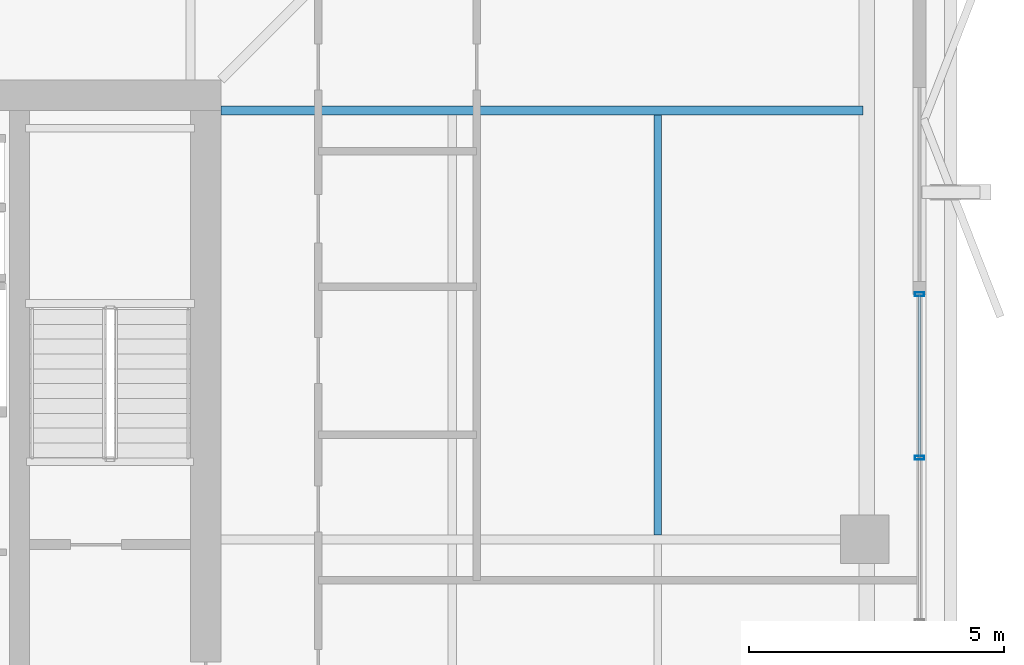
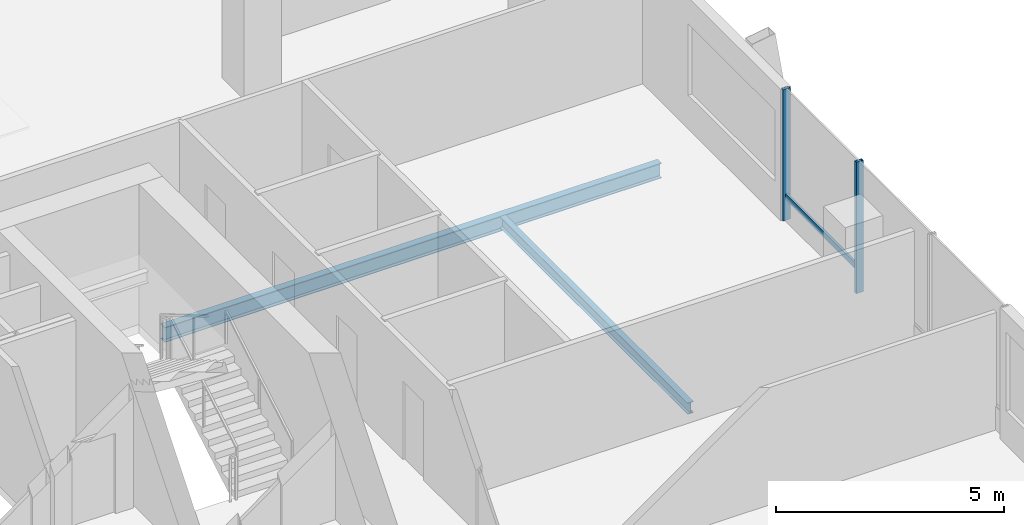
# One storey, part 12 of 26: 3 members, 2 beams, 1 element without a shape of its own.
"""IFC4 building model written with IfcOpenShell, lengths in metres."""

from ifc_helpers import new_model, si_unit, direction, frame, origin, origin_2d, place, context, subcontext, project, spatial, hollow_rectangle, i_section, extrude, material, layer, layer_set, material_profile, profile_set, type_object, element, aggregate, save


model = new_model("IFC4")

# Units and contexts
model_context = context("Model", 3, precision=1e-05, world=origin(), true_north=direction((0.0, 1.0)))
body_context = subcontext(model_context, "Body", "Model", "MODEL_VIEW")
ifc_project = project(units=[si_unit("LENGTHUNIT", "METRE"), si_unit("AREAUNIT", "SQUARE_METRE"), si_unit("VOLUMEUNIT", "CUBIC_METRE"), si_unit("PLANEANGLEUNIT", "RADIAN"), si_unit("MASSUNIT", "GRAM", prefix="KILO")], contexts=[model_context])

# Site, building, storey
site_placement = place(None, origin())
site = spatial("IfcSite", under=ifc_project, at=site_placement, CompositionType="ELEMENT")
building_placement = place(site_placement, origin())
building = spatial("IfcBuilding", under=site, at=building_placement, Name="Belovzor Exchange Tower", CompositionType="ELEMENT")
storey_placement = place(building_placement, frame((0.0, 0.0, 295.5)))
storey = spatial("IfcBuildingStorey", under=building, at=storey_placement, Name="L73", CompositionType="ELEMENT", Elevation=295.5)

# Beam
ifc_material_1 = material(Name="Steel S355", Category="steel")
ifc_material_profile_1 = material_profile(ifc_material_1, i_section(OverallWidth=0.14990234375, OverallDepth=0.300048828125, WebThickness=0.007080078125, FlangeThickness=0.0107421875, at=origin_2d()))
ifc_profile_set_1 = profile_set([ifc_material_profile_1], Name="Steel S355")
beam_type_1 = type_object("IfcBeamType", Name="Secondary Trim Floor Joist IPE 300", PredefinedType="BEAM", material=ifc_profile_set_1)
beam_1_placement = place(storey_placement, frame((46.343994140625, 28.889892578125, -0.389892578125), z_axis=(0.0, 1.0, 0.0), x_axis=(-1.0, 0.0, 0.0)))
element("IfcBeam", 1, at=beam_1_placement, inside=storey, type_object=beam_type_1, Name="FJ-300 Secondary Trim Floor Joist IPE 300", PredefinedType="BEAM", context=body_context, shape_type="SweptSolid", body=[
    extrude(i_section(OverallWidth=0.14990234375, OverallDepth=0.300048828125, WebThickness=0.007080078125, FlangeThickness=0.0107421875, at=origin_2d()), origin(), (0.0, 0.0, 1.0), 8.22021484375),
])

# Curtain wall, members
ifc_material_2 = material(Name="Anodised Aluminium Framing", Category="aluminium")
ifc_layer = layer(ifc_material_2, 0.179931640625)
ifc_layer_set = layer_set([ifc_layer], Name="Anodised Aluminium Framing")
curtain_wall_type = type_object("IfcCurtainWallType", Name="Recessed Loggia Low-Iron Triple-Glazed Curtain Wall", PredefinedType="NOTDEFINED", material=ifc_layer_set)
curtain_wall_placement = place(storey_placement, origin())
curtain_wall = element("IfcCurtainWall", 2, at=curtain_wall_placement, inside=storey, type_object=curtain_wall_type, Name="CW3 Recessed Loggia Low-Iron Triple-Glazed Curtain Wall L73", PredefinedType="NOTDEFINED")
ifc_material_3 = material(Name="Steel S355", Category="steel")
ifc_material_profile_2 = material_profile(ifc_material_3, hollow_rectangle(XDim=0.074951171875, YDim=0.179931640625, WallThickness=0.0048828125, at=origin_2d()))
ifc_profile_set_2 = profile_set([ifc_material_profile_2], Name="Steel S355")
member_type_1 = type_object("IfcMemberType", Name="Thermally Broken Curtain Wall Mullion 180x75", PredefinedType="MULLION", material=ifc_profile_set_2)
member_1_placement = place(storey_placement, frame((51.469970703125, 33.60009765625, 0.0), z_axis=(0.0, 0.0, 1.0), x_axis=(0.0, -1.0, 0.0)))
member_1 = element("IfcMember", 3, at=member_1_placement, type_object=member_type_1, Name="CW-M180 Curtain Wall Mullion 1", PredefinedType="MULLION", context=body_context, shape_type="SweptSolid", body=[
    extrude(hollow_rectangle(XDim=0.074951171875, YDim=0.179931640625, WallThickness=0.0048828125, at=origin_2d()), origin(), (0.0, 0.0, 1.0), 3.510009765625),
])
member_2_placement = place(storey_placement, frame((51.469970703125, 30.39990234375, 0.0), z_axis=(0.0, 0.0, 1.0), x_axis=(0.0, -1.0, 0.0)))
member_2 = element("IfcMember", 4, at=member_2_placement, type_object=member_type_1, Name="CW-M180 Curtain Wall Mullion 2", PredefinedType="MULLION", context=body_context, shape_type="SweptSolid", body=[
    extrude(hollow_rectangle(XDim=0.074951171875, YDim=0.179931640625, WallThickness=0.0048828125, at=origin_2d()), origin(), (0.0, 0.0, 1.0), 3.510009765625),
])
ifc_material_4 = material(Name="Steel S355", Category="steel")
ifc_material_profile_3 = material_profile(ifc_material_4, hollow_rectangle(XDim=0.06005859375, YDim=0.14990234375, WallThickness=0.00390625, at=origin_2d()))
ifc_profile_set_3 = profile_set([ifc_material_profile_3], Name="Steel S355")
member_type_2 = type_object("IfcMemberType", Name="Thermally Broken Curtain Wall Transom 150x60", PredefinedType="USERDEFINED", material=ifc_profile_set_3)
member_3_placement = place(storey_placement, frame((51.469970703125, 33.592041015625, 0.632080078125), z_axis=(0.0, -1.0, 0.0), x_axis=(1.0, 0.0, 0.0)))
member_3 = element("IfcMember", 5, at=member_3_placement, type_object=member_type_2, Name="CW-T150 Curtain Wall Transom 1", ObjectType="TRANSOM", PredefinedType="USERDEFINED", context=body_context, shape_type="SweptSolid", body=[
    extrude(hollow_rectangle(XDim=0.06005859375, YDim=0.14990234375, WallThickness=0.00390625, at=origin_2d()), origin(), (0.0, 0.0, 1.0), 3.18408203125),
])
aggregate(curtain_wall, [member_1, member_2, member_3])

# Beam
ifc_material_5 = material(Name="Steel S355", Category="steel")
ifc_material_profile_4 = material_profile(ifc_material_5, i_section(OverallWidth=0.179931640625, OverallDepth=0.39990234375, WebThickness=0.008544921875, FlangeThickness=0.013427734375, at=origin_2d()))
ifc_profile_set_4 = profile_set([ifc_material_profile_4], Name="Steel S355")
beam_type_2 = type_object("IfcBeamType", Name="Zone 5-6 Radial Composite Floor Beam IPE 400", PredefinedType="BEAM", material=ifc_profile_set_4)
beam_2_placement = place(storey_placement, frame((37.800048828125, 37.199951171875, -0.43994140625), z_axis=(1.0, 0.0, 0.0), x_axis=(0.0, 1.0, 0.0)))
element("IfcBeam", 6, at=beam_2_placement, inside=storey, type_object=beam_type_2, Name="FB-400 Zone 5-6 Radial Composite Floor Beam IPE 400", PredefinedType="BEAM", context=body_context, shape_type="SweptSolid", body=[
    extrude(i_section(OverallWidth=0.179931640625, OverallDepth=0.39990234375, WebThickness=0.008544921875, FlangeThickness=0.013427734375, at=origin_2d()), origin(), (0.0, 0.0, 1.0), 12.56396484375),
])

save(model, "model.ifc")
